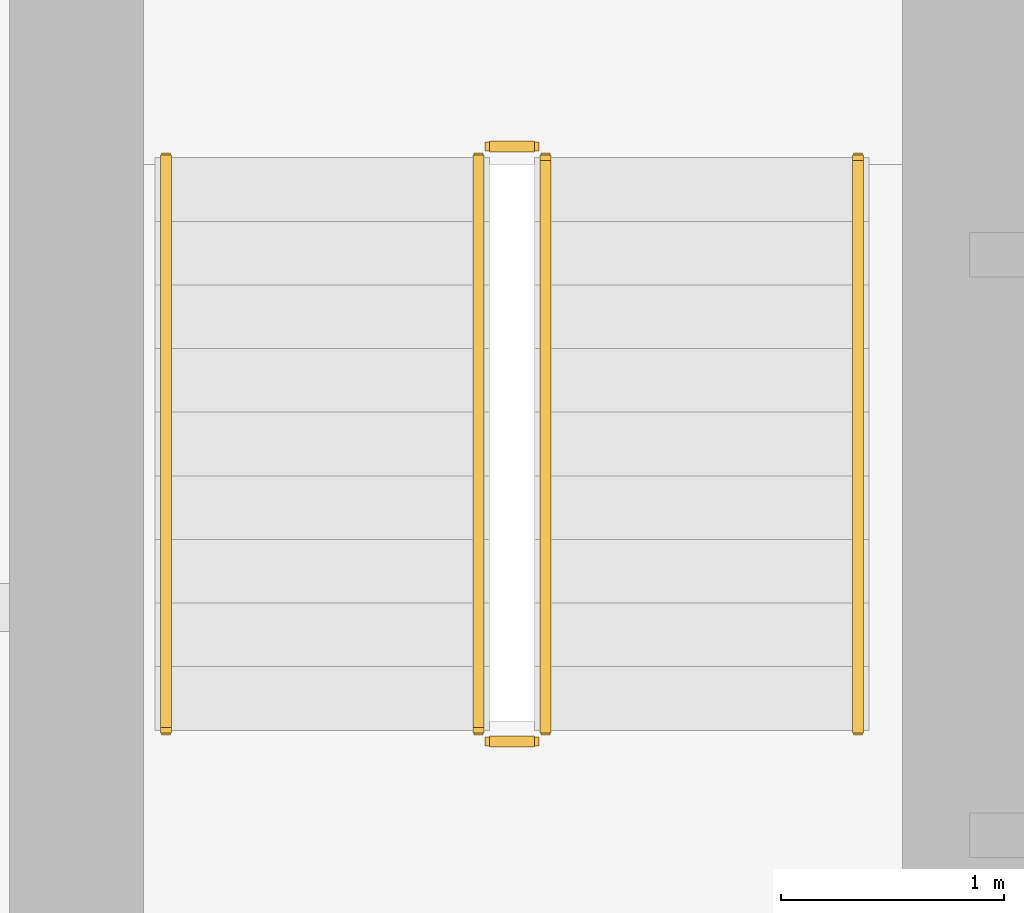
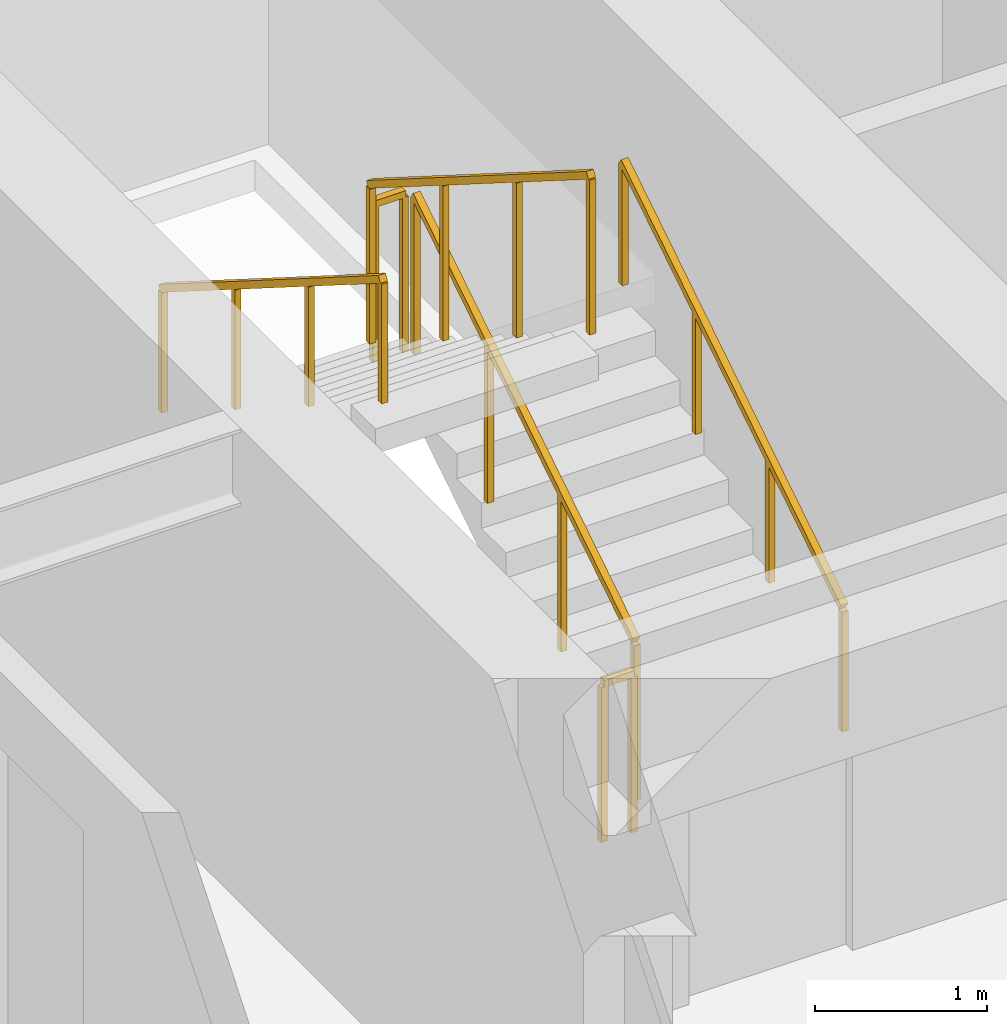
# One storey, part 24 of 26: 6 railings.
"""IFC4 building model written with IfcOpenShell, lengths in metres."""

from ifc_helpers import new_model, si_unit, direction, frame, origin, origin_2d, place, context, subcontext, project, spatial, rectangle, extrude, material, type_object, element, save


model = new_model("IFC4")

# Units and contexts
model_context = context("Model", 3, precision=1e-05, world=origin(), true_north=direction((0.0, 1.0)))
body_context = subcontext(model_context, "Body", "Model", "MODEL_VIEW")
ifc_project = project(units=[si_unit("LENGTHUNIT", "METRE"), si_unit("AREAUNIT", "SQUARE_METRE"), si_unit("VOLUMEUNIT", "CUBIC_METRE"), si_unit("PLANEANGLEUNIT", "RADIAN"), si_unit("MASSUNIT", "GRAM", prefix="KILO")], contexts=[model_context])

# Site, building, storey
site_placement = place(None, origin())
site = spatial("IfcSite", under=ifc_project, at=site_placement, CompositionType="ELEMENT")
building_placement = place(site_placement, origin())
building = spatial("IfcBuilding", under=site, at=building_placement, Name="Sarneth Arch Tower", CompositionType="ELEMENT")
storey_placement = place(building_placement, frame((0.0, 0.0, 35.39990234375)))
storey = spatial("IfcBuildingStorey", under=building, at=storey_placement, Name="L07", CompositionType="ELEMENT", Elevation=35.39990234375)

# Railings
ifc_material_1 = material(Name="Brushed Stainless Steel 304 tubular handrail", Category="steel")
railing_type_1 = type_object("IfcRailingType", Name="RAIL-HANDRAIL-900", PredefinedType="HANDRAIL", material=ifc_material_1)
railing_1_placement = place(storey_placement, frame((40.5, 41.449951171875, 0.18017578125)))
element("IfcRailing", 1, at=railing_1_placement, inside=storey, type_object=railing_type_1, Name="L07 ST-1 stair handrail 1", PredefinedType="HANDRAIL", context=body_context, shape_type="SweptSolid", body=[
    extrude(rectangle(XDim=0.048095703125, YDim=0.048095703125, at=origin_2d()), frame((0.0, 0.0, 0.8759765625), z_axis=(0.0, 0.845502289212, 0.533971796014), x_axis=(-1.0, 0.0, 0.0)), (0.0, 0.0, 1.0), 3.03369140625),
    extrude(rectangle(XDim=0.0419921875, YDim=0.0419921875, at=origin_2d()), origin(), (0.0, 0.0, 1.0), 0.851806640625),
    extrude(rectangle(XDim=0.0419921875, YDim=0.0419921875, at=origin_2d()), frame((0.0, 0.85498046875, 0.5400390625)), (0.0, 0.0, 1.0), 0.851806640625),
    extrude(rectangle(XDim=0.0419921875, YDim=0.0419921875, at=origin_2d()), frame((0.0, 1.7099609375, 1.079833984375)), (0.0, 0.0, 1.0), 0.851806640625),
    extrude(rectangle(XDim=0.0419921875, YDim=0.0419921875, at=origin_2d()), frame((0.0, 2.56494140625, 1.619873046875)), (0.0, 0.0, 1.0), 0.851806640625),
])
railing_2_placement = place(storey_placement, frame((37.39990234375, 44.014892578125, 1.97998046875)))
element("IfcRailing", 2, at=railing_2_placement, inside=storey, type_object=railing_type_1, Name="L07 ST-1 stair handrail 2", PredefinedType="HANDRAIL", context=body_context, shape_type="SweptSolid", body=[
    extrude(rectangle(XDim=0.048095703125, YDim=0.048095703125, at=origin_2d()), frame((0.0, 0.0, 0.8759765625), z_axis=(0.0, -0.845465955043, 0.534029323973), x_axis=(1.0, 0.0, 0.0)), (0.0, 0.0, 1.0), 3.03369140625),
    extrude(rectangle(XDim=0.0419921875, YDim=0.0419921875, at=origin_2d()), origin(), (0.0, 0.0, 1.0), 0.851806640625),
    extrude(rectangle(XDim=0.0419921875, YDim=0.0419921875, at=origin_2d()), frame((0.0, -0.85498046875, 0.5400390625)), (0.0, 0.0, 1.0), 0.851806640625),
    extrude(rectangle(XDim=0.0419921875, YDim=0.0419921875, at=origin_2d()), frame((0.0, -1.7099609375, 1.080078125)), (0.0, 0.0, 1.0), 0.851806640625),
    extrude(rectangle(XDim=0.0419921875, YDim=0.0419921875, at=origin_2d()), frame((0.0, -2.56494140625, 1.6201171875)), (0.0, 0.0, 1.0), 0.851806640625),
])
ifc_material_2 = material(Name="Painted Steel S275 stair well guard", Category="steel")
railing_type_2 = type_object("IfcRailingType", Name="RAIL-STAIR-GUARD", PredefinedType="GUARDRAIL", material=ifc_material_2)
railing_3_placement = place(storey_placement, frame((39.10009765625, 41.449951171875, 0.18017578125)))
element("IfcRailing", 3, at=railing_3_placement, inside=storey, type_object=railing_type_2, Name="L07 ST-1 stair guard 1", PredefinedType="GUARDRAIL", context=body_context, shape_type="SweptSolid", body=[
    extrude(rectangle(XDim=0.048095703125, YDim=0.048095703125, at=origin_2d()), frame((0.0, 0.0, 1.1259765625), z_axis=(0.0, 0.845502289212, 0.533971796014), x_axis=(-1.0, 0.0, 0.0)), (0.0, 0.0, 1.0), 3.03369140625),
    extrude(rectangle(XDim=0.0419921875, YDim=0.0419921875, at=origin_2d()), origin(), (0.0, 0.0, 1.0), 1.101806640625),
    extrude(rectangle(XDim=0.0419921875, YDim=0.0419921875, at=origin_2d()), frame((0.0, 0.85498046875, 0.5400390625)), (0.0, 0.0, 1.0), 1.101806640625),
    extrude(rectangle(XDim=0.0419921875, YDim=0.0419921875, at=origin_2d()), frame((0.0, 1.7099609375, 1.079833984375)), (0.0, 0.0, 1.0), 1.101806640625),
    extrude(rectangle(XDim=0.0419921875, YDim=0.0419921875, at=origin_2d()), frame((0.0, 2.56494140625, 1.619873046875)), (0.0, 0.0, 1.0), 1.101806640625),
])
railing_4_placement = place(storey_placement, frame((39.050048828125, 44.06494140625, 1.800048828125)))
element("IfcRailing", 4, at=railing_4_placement, inside=storey, type_object=railing_type_2, Name="L07 ST-1 stair guard 2", PredefinedType="GUARDRAIL", context=body_context, shape_type="SweptSolid", body=[
    extrude(rectangle(XDim=0.048095703125, YDim=0.048095703125, at=origin_2d()), frame((0.0, 0.0, 1.1259765625), z_axis=(-1.0, 0.0, 0.0), x_axis=(0.0, -1.0, 0.0)), (0.0, 0.0, 1.0), 0.199951171875),
    extrude(rectangle(XDim=0.0419921875, YDim=0.0419921875, at=origin_2d()), origin(), (0.0, 0.0, 1.0), 1.101806640625),
    extrude(rectangle(XDim=0.0419921875, YDim=0.0419921875, at=origin_2d()), frame((-0.199951171875, 0.0, 0.0)), (0.0, 0.0, 1.0), 1.101806640625),
])
railing_5_placement = place(storey_placement, frame((38.800048828125, 44.014892578125, 1.97998046875)))
element("IfcRailing", 5, at=railing_5_placement, inside=storey, type_object=railing_type_2, Name="L07 ST-1 stair guard 3", PredefinedType="GUARDRAIL", context=body_context, shape_type="SweptSolid", body=[
    extrude(rectangle(XDim=0.048095703125, YDim=0.048095703125, at=origin_2d()), frame((0.0, 0.0, 1.1259765625), z_axis=(0.0, -0.845465955043, 0.534029323973), x_axis=(1.0, 0.0, 0.0)), (0.0, 0.0, 1.0), 3.03369140625),
    extrude(rectangle(XDim=0.0419921875, YDim=0.0419921875, at=origin_2d()), origin(), (0.0, 0.0, 1.0), 1.101806640625),
    extrude(rectangle(XDim=0.0419921875, YDim=0.0419921875, at=origin_2d()), frame((0.0, -0.85498046875, 0.5400390625)), (0.0, 0.0, 1.0), 1.101806640625),
    extrude(rectangle(XDim=0.0419921875, YDim=0.0419921875, at=origin_2d()), frame((0.0, -1.7099609375, 1.080078125)), (0.0, 0.0, 1.0), 1.101806640625),
    extrude(rectangle(XDim=0.0419921875, YDim=0.0419921875, at=origin_2d()), frame((0.0, -2.56494140625, 1.6201171875)), (0.0, 0.0, 1.0), 1.101806640625),
])
railing_6_placement = place(storey_placement, frame((39.050048828125, 41.39990234375, 0.0)))
element("IfcRailing", 6, at=railing_6_placement, inside=storey, type_object=railing_type_2, Name="L07 ST-1 stair guard 4", PredefinedType="GUARDRAIL", context=body_context, shape_type="SweptSolid", body=[
    extrude(rectangle(XDim=0.048095703125, YDim=0.048095703125, at=origin_2d()), frame((0.0, 0.0, 1.1259765625), z_axis=(-1.0, 0.0, 0.0), x_axis=(0.0, -1.0, 0.0)), (0.0, 0.0, 1.0), 0.199951171875),
    extrude(rectangle(XDim=0.0419921875, YDim=0.0419921875, at=origin_2d()), origin(), (0.0, 0.0, 1.0), 1.101806640625),
    extrude(rectangle(XDim=0.0419921875, YDim=0.0419921875, at=origin_2d()), frame((-0.199951171875, 0.0, 0.0)), (0.0, 0.0, 1.0), 1.101806640625),
])

save(model, "model.ifc")
